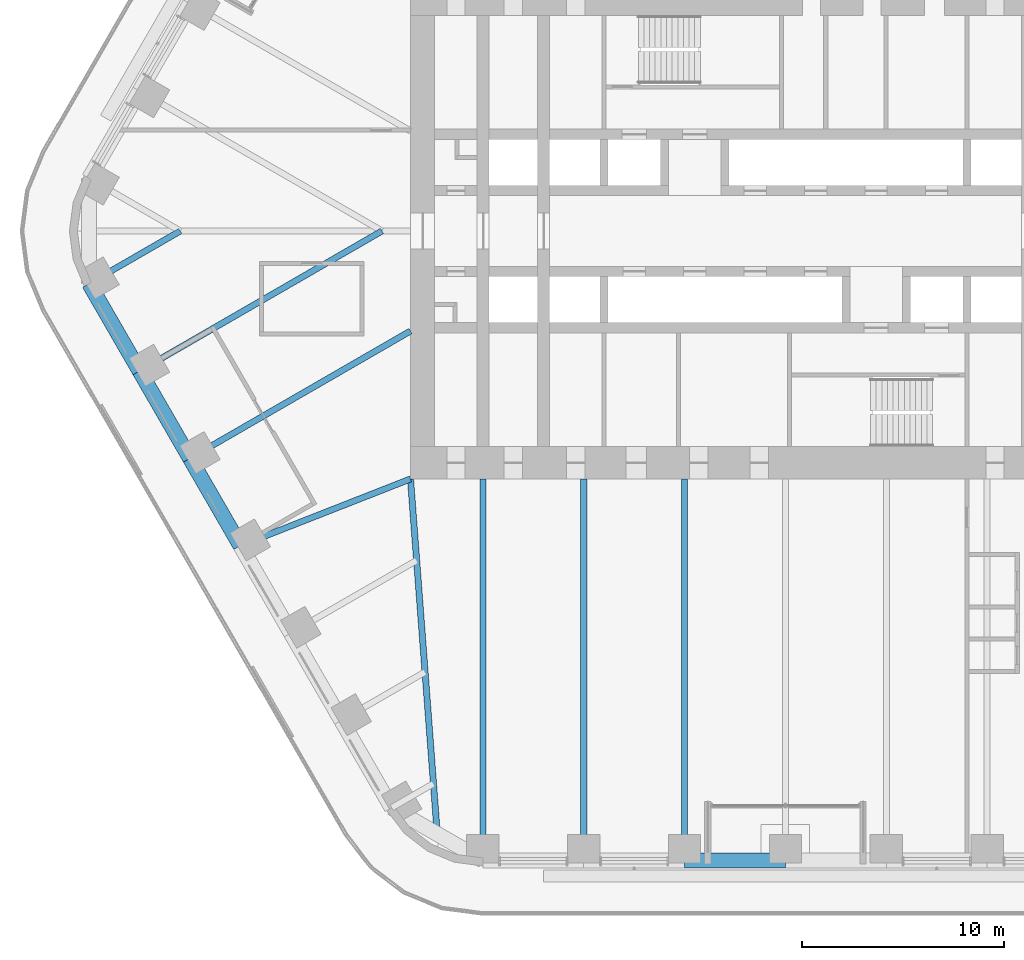
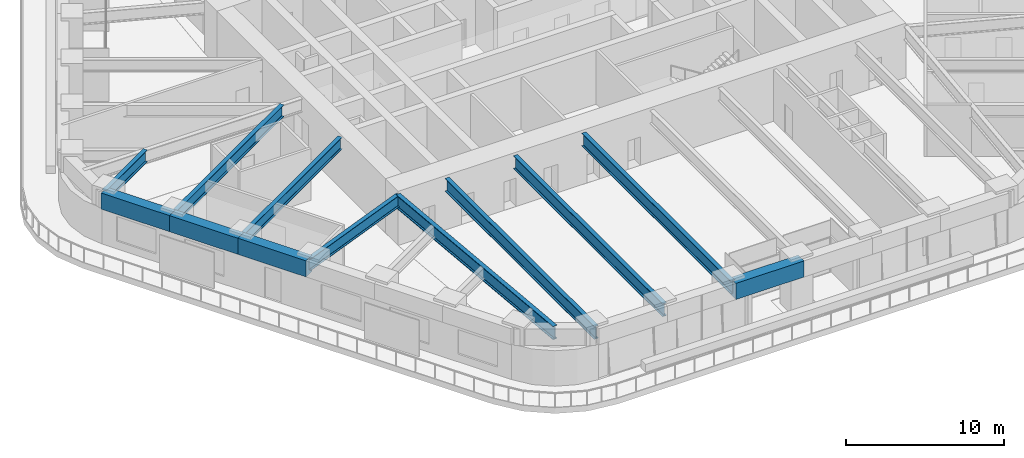
# One storey, part 3 of 24: 12 beams.
"""IFC4 building model written with IfcOpenShell, lengths in metres."""

import ifcopenshell
import ifcopenshell.guid

model = None  # the IFC model being written
_history = None  # IfcOwnerHistory: only IFC2X3 demands one
_inside = {}  # id of a spatial element -> (the spatial element, [elements in it])
_under = {}  # id of a project, library or spatial element -> (it, [spatial elements below it])
_declared = {}  # id of a project -> (the project, [libraries it declares])
_typed = {}  # id of a type object -> (the type object, [elements of that type])
_made_of = {}  # id of a material, layer set ... -> (it, [elements and type objects made of it])


def new_model(schema):
    """Start an empty IFC model of exactly this schema.

    Asked for "IFC4X3", IfcOpenShell would pick the latest addendum, in which some entities
    have other attributes; the version numbers below select the first issue.
    IFC2X3 requires an IfcOwnerHistory on every rooted entity: one is made here for all.
    """
    global model, _history
    if schema == "IFC4X3":
        model = ifcopenshell.file(schema_version=(4, 3, 0, 0))
    else:
        model = ifcopenshell.file(schema=schema)
    _inside.clear()
    _under.clear()
    _declared.clear()
    _typed.clear()
    _made_of.clear()
    _history = None
    if model.schema == "IFC2X3":
        org = make("IfcOrganization", Name="unknown")
        user = make(
            "IfcPersonAndOrganization",
            ThePerson=make("IfcPerson", FamilyName="unknown"),
            TheOrganization=org,
        )
        app = make(
            "IfcApplication",
            ApplicationDeveloper=org,
            Version="unknown",
            ApplicationFullName="unknown",
            ApplicationIdentifier="unknown",
        )
        _history = make(
            "IfcOwnerHistory",
            OwningUser=user,
            OwningApplication=app,
            ChangeAction="ADDED",
            CreationDate=0,
        )
    return model


def make(cls, **values):
    """One entity of the class cls with the attributes given. An attribute that is None is left unset."""
    return model.create_entity(
        cls, **{name: value for name, value in values.items() if value is not None}
    )


def rooted(cls, **values):
    """An entity with a GlobalId (a new one), such as an element, a storey or a relation."""
    return make(cls, GlobalId=ifcopenshell.guid.new(), OwnerHistory=_history, **values)


def si_unit(unit_type, name, prefix=None):
    """IfcSIUnit, for example si_unit("LENGTHUNIT", "METRE", prefix="MILLI")."""
    return make("IfcSIUnit", UnitType=unit_type, Prefix=prefix, Name=name)


def assignment(units):
    """IfcUnitAssignment: the units of a project."""
    return None if units is None else make("IfcUnitAssignment", Units=units)


def point(xyz):
    """IfcCartesianPoint."""
    return None if xyz is None else make("IfcCartesianPoint", Coordinates=xyz)


def direction(xyz):
    """IfcDirection."""
    return None if xyz is None else make("IfcDirection", DirectionRatios=xyz)


def frame(location, z_axis=None, x_axis=None):
    """IfcAxis2Placement3D, a coordinate frame: its origin and axes. An axis left out is left unset."""
    return make(
        "IfcAxis2Placement3D",
        Location=point(location),
        Axis=direction(z_axis),
        RefDirection=direction(x_axis),
    )


def frame_2d(location, x_axis=None):
    """IfcAxis2Placement2D, a coordinate frame in the plane: its origin and x axis."""
    return make(
        "IfcAxis2Placement2D", Location=point(location), RefDirection=direction(x_axis)
    )


def origin():
    """The frame at (0, 0, 0) with its axes left unset."""
    return frame((0.0, 0.0, 0.0))


def origin_2d():
    """The frame at (0, 0) in the plane with its x axis left unset."""
    return frame_2d((0.0, 0.0))


def place(relative_to, where):
    """IfcLocalPlacement: puts the frame where relative to a parent placement (None: the world)."""
    return make(
        "IfcLocalPlacement", PlacementRelTo=relative_to, RelativePlacement=where
    )


def context(
    kind, dimensions, precision=None, world=None, true_north=None, identifier=None
):
    """IfcGeometricRepresentationContext, for example the 3D "Model" context."""
    return make(
        "IfcGeometricRepresentationContext",
        ContextIdentifier=identifier,
        ContextType=kind,
        CoordinateSpaceDimension=dimensions,
        Precision=precision,
        WorldCoordinateSystem=world,
        TrueNorth=true_north,
    )


def subcontext(parent, identifier, kind, view, scale=None):
    """IfcGeometricRepresentationSubContext, for example "Body" below "Model"."""
    return make(
        "IfcGeometricRepresentationSubContext",
        ContextIdentifier=identifier,
        ContextType=kind,
        ParentContext=parent,
        TargetScale=scale,
        TargetView=view,
    )


def project(units=None, contexts=None):
    """IfcProject with its units and contexts."""
    return rooted(
        "IfcProject",
        Name="project",
        RepresentationContexts=contexts,
        UnitsInContext=assignment(units),
    )


def spatial(cls, under=None, at=None, **own):
    """A site, building, storey or space (cls), placed at a placement, below another one or the project."""
    s = rooted(cls, ObjectPlacement=at, **own)
    if under is not None:
        _under.setdefault(under.id(), (under, []))[1].append(s)
    return s


def profile(cls, at=None, kind="AREA", **sizes):
    """A parametric profile (cls). Its sizes go by their IFC names, for example OverallWidth=200.0."""
    return make(cls, ProfileType=kind, Position=at, **sizes)


def rectangle(**sizes):
    """IfcRectangleProfileDef."""
    return profile("IfcRectangleProfileDef", **sizes)


def i_section(**sizes):
    """IfcIShapeProfileDef."""
    return profile("IfcIShapeProfileDef", **sizes)


def extrude(swept, where, along, depth):
    """IfcExtrudedAreaSolid: the profile swept, set in the frame where, extruded along a direction by depth."""
    return make(
        "IfcExtrudedAreaSolid",
        SweptArea=swept,
        Position=where,
        ExtrudedDirection=direction(along),
        Depth=depth,
    )


def shape(context_of_items, identifier, shape_type, items):
    """IfcShapeRepresentation: the items that make up one representation, for example the "Body"."""
    return make(
        "IfcShapeRepresentation",
        ContextOfItems=context_of_items,
        RepresentationIdentifier=identifier,
        RepresentationType=shape_type,
        Items=items,
    )


def material(Name=None, Category=None):
    """IfcMaterial."""
    return make("IfcMaterial", Name=Name, Category=Category)


def material_profile(
    of_material, cross_section, Name=None, Category=None, Priority=None
):
    """IfcMaterialProfile: a cross section and its material."""
    return make(
        "IfcMaterialProfile",
        Name=Name,
        Material=of_material,
        Profile=cross_section,
        Priority=Priority,
        Category=Category,
    )


def profile_set(profiles, Name=None, composite=None):
    """IfcMaterialProfileSet."""
    return make(
        "IfcMaterialProfileSet",
        Name=Name,
        MaterialProfiles=profiles,
        CompositeProfile=composite,
    )


def made_of(thing, what):
    """Note that an element or type object is made of a material, layer set ...; save() writes the relation."""
    if what is not None:
        _made_of.setdefault(what.id(), (what, []))[1].append(thing)
    return thing


def type_object(cls, material=None, **own):
    """A type object (cls), such as IfcWallType, which elements share."""
    return made_of(rooted(cls, **own), material)


def element(
    cls,
    number,
    at=None,
    inside=None,
    cuts=None,
    type_object=None,
    material=None,
    context=None,
    identifier="Body",
    shape_type=None,
    held_by="IfcProductDefinitionShape",
    body=None,
    shapes=None,
    **own,
):
    """One element of the class cls, such as IfcWall. Its Tag is "e" and its number.

    at: its placement. inside: the storey or other place that contains it. cuts: it is an
    opening in that element (IfcRelVoidsElement). A single representation is given by context,
    identifier, shape_type and body (its items); several are given by shapes. held_by: the class
    of the entity that holds the representations. save() writes the other relations.
    """
    e = rooted(cls, Tag="e%d" % number, ObjectPlacement=at, **own)
    if body is not None:
        shapes = [shape(context, identifier, shape_type, body)]
    if shapes is not None:
        e.Representation = make(held_by, Representations=shapes)
    if inside is not None:
        _inside.setdefault(inside.id(), (inside, []))[1].append(e)
    if cuts is not None:
        rooted(
            "IfcRelVoidsElement", RelatingBuildingElement=cuts, RelatedOpeningElement=e
        )
    if type_object is not None:
        _typed.setdefault(type_object.id(), (type_object, []))[1].append(e)
    return made_of(e, material)


def aggregate(whole, parts):
    """IfcRelAggregates: a whole, such as a stair, and the parts it consists of."""
    return rooted("IfcRelAggregates", RelatingObject=whole, RelatedObjects=parts)


def save(model, path):
    """Write the relations noted so far, then the file.

    IfcRelAggregates (storeys below a building ...), IfcRelContainedInSpatialStructure (elements
    in a storey), IfcRelDefinesByType, IfcRelAssociatesMaterial and IfcRelDeclares: one each for
    every whole, place, type object, material and project.
    """
    for whole, parts in _under.values():
        aggregate(whole, parts)
    for where, things in _inside.values():
        rooted(
            "IfcRelContainedInSpatialStructure",
            RelatedElements=things,
            RelatingStructure=where,
        )
    for kind, things in _typed.values():
        rooted("IfcRelDefinesByType", RelatedObjects=things, RelatingType=kind)
    for what, things in _made_of.values():
        rooted("IfcRelAssociatesMaterial", RelatedObjects=things, RelatingMaterial=what)
    for by, libraries in _declared.values():
        rooted("IfcRelDeclares", RelatingContext=by, RelatedDefinitions=libraries)
    model.write(path)


model = new_model("IFC4")

# Units and contexts
model_context = context("Model", 3, precision=1e-05, world=origin(), true_north=direction((0.0, 1.0)))
body_context = subcontext(model_context, "Body", "Model", "MODEL_VIEW")
ifc_project = project(units=[si_unit("LENGTHUNIT", "METRE"), si_unit("AREAUNIT", "SQUARE_METRE"), si_unit("VOLUMEUNIT", "CUBIC_METRE"), si_unit("PLANEANGLEUNIT", "RADIAN"), si_unit("MASSUNIT", "GRAM", prefix="KILO")], contexts=[model_context])

# Site, building, storey
site_placement = place(None, origin())
site = spatial("IfcSite", under=ifc_project, at=site_placement, CompositionType="ELEMENT")
building_placement = place(site_placement, origin())
building = spatial("IfcBuilding", under=site, at=building_placement, Name="Tarfa Lantern Tower", CompositionType="ELEMENT")
storey_placement = place(building_placement, frame((0.0, 0.0, 165.699951171875)))
storey = spatial("IfcBuildingStorey", under=building, at=storey_placement, Name="L37", CompositionType="ELEMENT", Elevation=165.699951171875)

# Beams
ifc_material_1 = material(Name="Concrete C80/95", Category="concrete")
ifc_material_profile_1 = material_profile(ifc_material_1, rectangle(XDim=0.75, YDim=1.25, at=origin_2d()), Name="RC 750x1250")
ifc_profile_set_1 = profile_set([ifc_material_profile_1], Name="Concrete C80/95")
beam_type_1 = type_object("IfcBeamType", Name="EB2 RC 750x1250", PredefinedType="SPANDREL", material=ifc_profile_set_1)
for number, where, z_axis, x_axis, name in (
    (1, (-34.54296875, -2.610107421875, 3.375), (0.500022324899, -0.866012514114, 0.0), (0.866012514114, 0.500022324899, 0.0), "Edge beam SW0"),
    (2, (-32.041015625, -6.943359375, 3.375), (0.500022324899, -0.866012514114, 0.0), (0.866012514114, 0.500022324899, 0.0), "Edge beam SW1"),
    (3, (-29.5390625, -11.276611328125, 3.375), (0.499964603504, -0.866045838996, 0.0), (0.866045838996, 0.499964603504, 0.0), "Edge beam SW2"),
    (4, (-5.003662109375, -31.219970703125, 3.375), (1.0, 0.0, 0.0), (0.0, 1.0, 0.0), "Edge beam S2"),
):
    element("IfcBeam", number, at=place(storey_placement, frame(where, z_axis=z_axis, x_axis=x_axis)), inside=storey, type_object=beam_type_1, Name=name, PredefinedType="SPANDREL", context=body_context, shape_type="SweptSolid", body=[
        extrude(rectangle(XDim=0.75, YDim=1.25, at=origin_2d()), origin(), (0.0, 0.0, 1.0), 5.003662109375),
    ])
ifc_material_2 = material(Name="Steel S460M", Category="steel")
ifc_material_profile_2 = material_profile(ifc_material_2, i_section(OverallWidth=0.302001953125, OverallDepth=1.008056640625, WebThickness=0.02099609375, FlangeThickness=0.0400390625, FilletRadius=0.030029296875, at=origin_2d()), Name="UB1016x305x349")
ifc_profile_set_2 = profile_set([ifc_material_profile_2], Name="Steel S460M")
beam_type_2 = type_object("IfcBeamType", Name="UB1016x305x349", PredefinedType="BEAM", material=ifc_profile_set_2)
for number, where, z_axis, x_axis, name in (
    (5, (-15.010986328125, -31.219970703125, 3.49609375), (0.0, 1.0, 0.0), (-1.0, 0.0, 0.0), "Floor beam S0"),
    (6, (-10.00732421875, -31.219970703125, 3.49609375), (0.0, 1.0, 0.0), (-1.0, 0.0, 0.0), "Floor beam S1"),
    (7, (-5.003662109375, -31.219970703125, 3.49609375), (0.0, 1.0, 0.0), (-1.0, 0.0, 0.0), "Floor beam S2"),
):
    element("IfcBeam", number, at=place(storey_placement, frame(where, z_axis=z_axis, x_axis=x_axis)), inside=storey, type_object=beam_type_2, Name=name, PredefinedType="BEAM", context=body_context, shape_type="SweptSolid", body=[
        extrude(i_section(OverallWidth=0.302001953125, OverallDepth=1.008056640625, WebThickness=0.02099609375, FlangeThickness=0.0400390625, FilletRadius=0.030029296875, at=origin_2d()), origin(), (0.0, 0.0, 1.0), 18.919921875),
    ])
ifc_material_profile_3 = material_profile(ifc_material_2, i_section(OverallWidth=0.30859375, OverallDepth=1.036376953125, WebThickness=0.030029296875, FlangeThickness=0.05419921875, FilletRadius=0.030029296875, at=origin_2d()), Name="UB1016x305x487")
ifc_profile_set_3 = profile_set([ifc_material_profile_3], Name="Steel S460M")
beam_type_3 = type_object("IfcBeamType", Name="UB1016x305x487", PredefinedType="BEAM", material=ifc_profile_set_3)
beam_1_placement = place(storey_placement, frame((-18.60009765625, -12.300048828125, 3.48193359375), z_axis=(0.075211516041, -0.99716760269, 0.0), x_axis=(0.99716760269, 0.075211516041, 0.0)))
element("IfcBeam", 8, at=beam_1_placement, inside=storey, type_object=beam_type_3, Name="Hip girder SW", PredefinedType="BEAM", context=body_context, shape_type="SweptSolid", body=[
    extrude(i_section(OverallWidth=0.30859375, OverallDepth=1.036376953125, WebThickness=0.030029296875, FlangeThickness=0.05419921875, FilletRadius=0.030029296875, at=origin_2d()), origin(), (0.0, 0.0, 1.0), 17.6650390625),
])
ifc_material_profile_4 = material_profile(ifc_material_2, i_section(OverallWidth=0.305419921875, OverallDepth=0.91845703125, WebThickness=0.017333984375, FlangeThickness=0.02783203125, FilletRadius=0.01904296875, at=origin_2d()), Name="UB914x305x253")
ifc_profile_set_4 = profile_set([ifc_material_profile_4], Name="Steel S460M")
beam_type_4 = type_object("IfcBeamType", Name="UB914x305x253", PredefinedType="BEAM", material=ifc_profile_set_4)
beam_2_placement = place(storey_placement, frame((-34.54296875, -2.610107421875, 3.540771484375), z_axis=(0.866021250859, 0.500007193008, 0.0), x_axis=(-0.500007193008, 0.866021250859, 0.0)))
element("IfcBeam", 9, at=beam_2_placement, inside=storey, type_object=beam_type_4, Name="Floor beam SW0", PredefinedType="BEAM", context=body_context, shape_type="SweptSolid", body=[
    extrude(i_section(OverallWidth=0.305419921875, OverallDepth=0.91845703125, WebThickness=0.017333984375, FlangeThickness=0.02783203125, FilletRadius=0.01904296875, at=origin_2d()), origin(), (0.0, 0.0, 1.0), 5.22021484375),
])
beam_3_placement = place(storey_placement, frame((-32.041015625, -6.943359375, 3.540771484375), z_axis=(0.866023096411, 0.500003996466, 0.0), x_axis=(-0.500003996466, 0.866023096411, 0.0)))
element("IfcBeam", 10, at=beam_3_placement, inside=storey, type_object=beam_type_4, Name="Floor beam SW1", PredefinedType="BEAM", context=body_context, shape_type="SweptSolid", body=[
    extrude(i_section(OverallWidth=0.305419921875, OverallDepth=0.91845703125, WebThickness=0.017333984375, FlangeThickness=0.02783203125, FilletRadius=0.01904296875, at=origin_2d()), origin(), (0.0, 0.0, 1.0), 13.88671875),
])
beam_4_placement = place(storey_placement, frame((-29.5390625, -11.276611328125, 3.540771484375), z_axis=(0.866023362995, 0.500003534735, 0.0), x_axis=(-0.500003534735, 0.866023362995, 0.0)))
element("IfcBeam", 11, at=beam_4_placement, inside=storey, type_object=beam_type_4, Name="Floor beam SW2", PredefinedType="BEAM", context=body_context, shape_type="SweptSolid", body=[
    extrude(i_section(OverallWidth=0.305419921875, OverallDepth=0.91845703125, WebThickness=0.017333984375, FlangeThickness=0.02783203125, FilletRadius=0.01904296875, at=origin_2d()), origin(), (0.0, 0.0, 1.0), 12.63134765625),
])
beam_5_placement = place(storey_placement, frame((-27.037353515625, -15.610107421875, 3.540771484375), z_axis=(0.930923282782, 0.365214788274, 0.0), x_axis=(-0.365214788274, 0.930923282782, 0.0)))
element("IfcBeam", 12, at=beam_5_placement, inside=storey, type_object=beam_type_4, Name="Floor beam SW3", PredefinedType="BEAM", context=body_context, shape_type="SweptSolid", body=[
    extrude(i_section(OverallWidth=0.305419921875, OverallDepth=0.91845703125, WebThickness=0.017333984375, FlangeThickness=0.02783203125, FilletRadius=0.01904296875, at=origin_2d()), origin(), (0.0, 0.0, 1.0), 9.063232421875),
])

save(model, "model.ifc")
